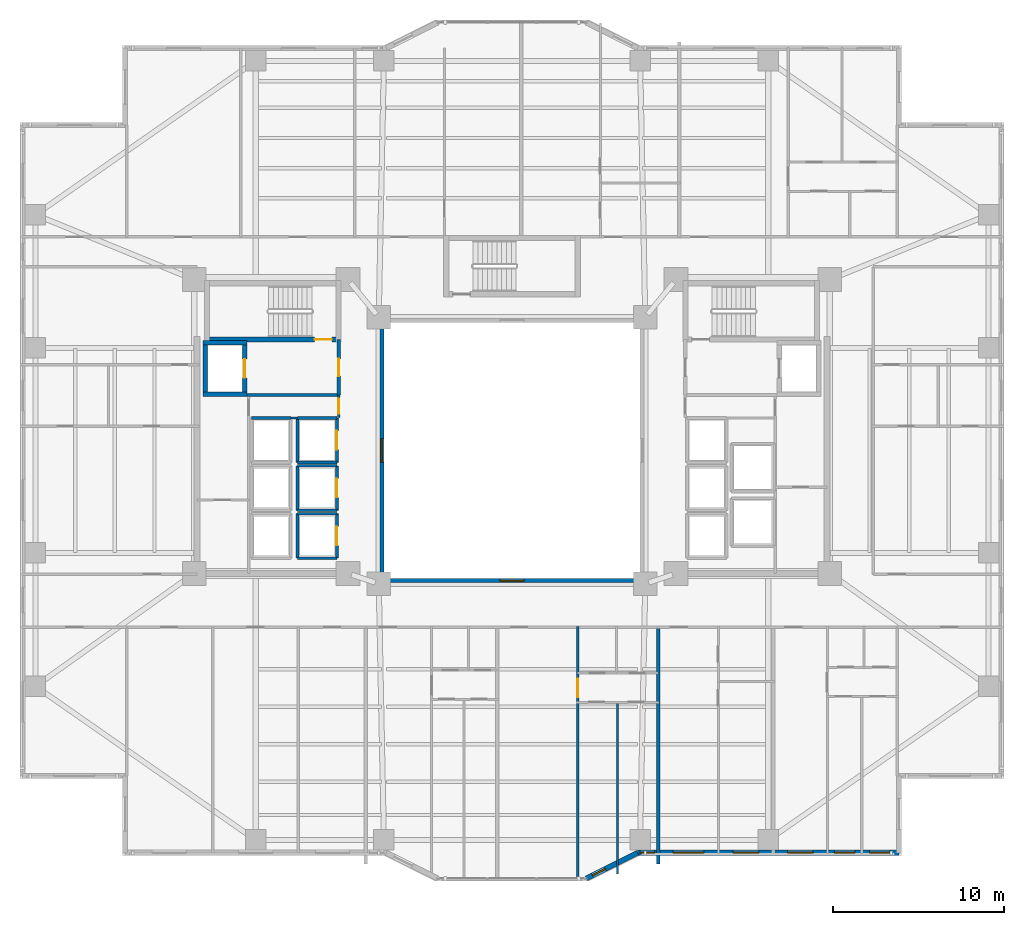
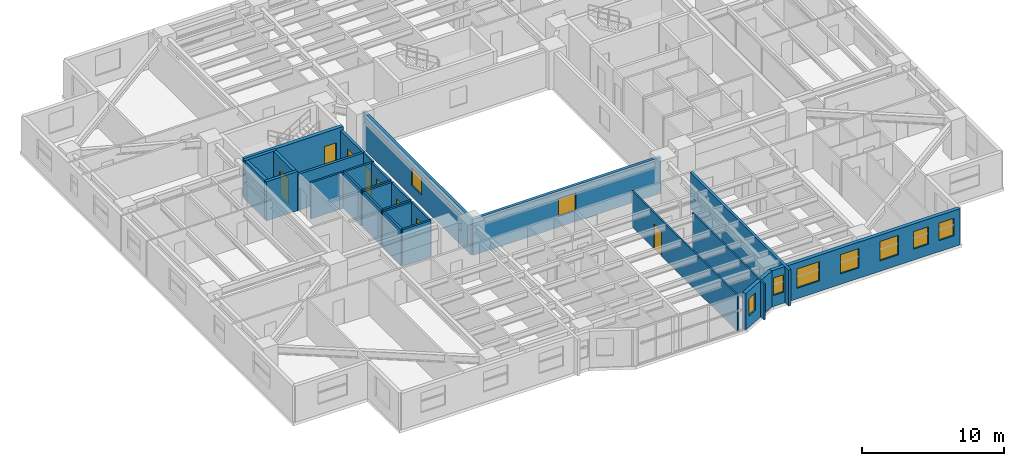
# One storey, part 11 of 21: 29 walls, 9 windows, 8 doors, 17 openings.
"""IFC4 building model written with IfcOpenShell, lengths in metres."""

from ifc_helpers import new_model, si_unit, direction, frame, frame_2d, origin, place, context, subcontext, project, spatial, rectangle, extrude, material, layer, layer_set, type_object, element, fill, save


model = new_model("IFC4")

# Units and contexts
model_context = context("Model", 3, precision=1e-05, world=origin(), true_north=direction((0.0, 1.0)))
body_context = subcontext(model_context, "Body", "Model", "MODEL_VIEW")
ifc_project = project(units=[si_unit("LENGTHUNIT", "METRE"), si_unit("AREAUNIT", "SQUARE_METRE"), si_unit("VOLUMEUNIT", "CUBIC_METRE"), si_unit("PLANEANGLEUNIT", "RADIAN"), si_unit("MASSUNIT", "GRAM", prefix="KILO")], contexts=[model_context])

# Site, building, storey
site_placement = place(None, origin())
site = spatial("IfcSite", under=ifc_project, at=site_placement, CompositionType="ELEMENT")
building_placement = place(site_placement, origin())
building = spatial("IfcBuilding", under=site, at=building_placement, Name="Tarnavaz Court Tower", CompositionType="ELEMENT")
storey_placement = place(building_placement, frame((0.0, 0.0, 44.10009765625)))
storey = spatial("IfcBuildingStorey", under=building, at=storey_placement, Name="L11", CompositionType="ELEMENT", Elevation=44.10009765625)

# Wall
ifc_material_1 = material(Name="Concrete C60/75", Category="concrete")
ifc_layer_1 = layer(ifc_material_1, 0.25)
ifc_layer_set_1 = layer_set([ifc_layer_1], Name="Concrete C60/75")
wall_type_1 = type_object("IfcWallType", Name="WL-CORE-250-C60", PredefinedType="SHEAR", material=ifc_layer_set_1)
wall_1_placement = place(storey_placement, frame((-17.949951171875, 3.175048828125, 0.0), z_axis=(0.0, 0.0, 1.0), x_axis=(0.0, 1.0, 0.0)))
element("IfcWall", 1, at=wall_1_placement, inside=storey, type_object=wall_type_1, Name="L11 Lift FL-W1 Shaft Wall 017", PredefinedType="SHEAR", context=body_context, shape_type="SweptSolid", body=[
    extrude(rectangle(XDim=3.25, YDim=0.25, at=frame_2d((1.625, 0.0))), origin(), (0.0, 0.0, 1.0), 3.349853515625),
])

# Wall, opening, door
wall_2_placement = place(storey_placement, frame((-15.64990234375, 3.175048828125, 0.0), z_axis=(0.0, 0.0, 1.0), x_axis=(0.0, 1.0, 0.0)))
wall_2 = element("IfcWall", 2, at=wall_2_placement, inside=storey, type_object=wall_type_1, Name="L11 Lift FL-W1 Shaft Wall 018", PredefinedType="SHEAR", context=body_context, shape_type="SweptSolid", body=[
    extrude(rectangle(XDim=3.25, YDim=0.25, at=frame_2d((1.625, 0.0))), origin(), (0.0, 0.0, 1.0), 3.349853515625),
])
opening_1_placement = place(wall_2_placement, frame((1.074951171875, 0.0, 0.0)))
opening_1 = element("IfcOpeningElement", 3, at=opening_1_placement, cuts=wall_2, Name="Opening LD1", PredefinedType="OPENING", context=body_context, shape_type="SweptSolid", body=[
    extrude(rectangle(XDim=1.10009765625, YDim=2.14990234375, at=frame_2d((0.550048828125, 1.074951171875))), frame((0.0, 0.135009765625, 0.0), z_axis=(0.0, -1.0, 0.0), x_axis=(1.0, 0.0, 0.0)), (0.0, 0.0, 1.0), 0.27001953125),
])
ifc_material_2 = material(Name="Stainless Steel", Category="steel")
door_type_1 = type_object("IfcDoorType", Name="DR-LD-1100", OperationType="NOTDEFINED", PredefinedType="DOOR", material=ifc_material_2)
door_1_placement = place(opening_1_placement, origin())
door_1 = element("IfcDoor", 4, at=door_1_placement, inside=storey, type_object=door_type_1, Name="L11 Lift Landing Door LD-FL-W1", OperationType="SLIDING_TO_LEFT", OverallHeight=2.14990234375, OverallWidth=1.10009765625, PredefinedType="DOOR", context=body_context, shape_type="SweptSolid", body=[
    extrude(rectangle(XDim=1.10009765625, YDim=2.14990234375, at=frame_2d((0.550048828125, 1.074951171875))), frame((0.0, 0.02490234375, 0.0), z_axis=(0.0, -1.0, 0.0), x_axis=(1.0, 0.0, 0.0)), (0.0, 0.0, 1.0), 0.050048828125),
])
fill(opening_1, door_1)

# Walls
for number, where, z_axis, x_axis, name in (
    (5, (-18.074951171875, 3.300048828125, 0.0), (0.0, 0.0, 1.0), (1.0, 0.0, 0.0), "L11 Lift FL-W1 Shaft Wall 019"),
    (6, (-18.074951171875, 6.300048828125, 0.0), (0.0, 0.0, 1.0), (1.0, 0.0, 0.0), "L11 Lift FL-W1 Shaft Wall 020"),
):
    element("IfcWall", number, at=place(storey_placement, frame(where, z_axis=z_axis, x_axis=x_axis)), inside=storey, type_object=wall_type_1, Name=name, PredefinedType="SHEAR", context=body_context, shape_type="SweptSolid", body=[
        extrude(rectangle(XDim=2.550048828125, YDim=0.25, at=frame_2d((1.27490234375, 0.0))), origin(), (0.0, 0.0, 1.0), 3.349853515625),
    ])

# Wall, opening, door
ifc_layer_2 = layer(ifc_material_1, 0.300048828125)
ifc_layer_set_2 = layer_set([ifc_layer_2], Name="Concrete C60/75")
wall_type_2 = type_object("IfcWallType", Name="WL-CORE-300-C60", PredefinedType="SHEAR", material=ifc_layer_set_2)
wall_3_placement = place(storey_placement, frame((-18.0, 6.5, 0.0), z_axis=(0.0, 0.0, 1.0), x_axis=(1.0, 0.0, 0.0)))
wall_3 = element("IfcWall", 7, at=wall_3_placement, inside=storey, type_object=wall_type_2, Name="L11 West Stair Core Wall 002", PredefinedType="SHEAR", context=body_context, shape_type="SweptSolid", body=[
    extrude(rectangle(XDim=8.0, YDim=0.300048828125, at=frame_2d((4.0, 0.0))), origin(), (0.0, 0.0, 1.0), 3.349853515625),
])
opening_2_placement = place(wall_3_placement, frame((6.449951171875, 0.0, 0.0)))
opening_2 = element("IfcOpeningElement", 8, at=opening_2_placement, cuts=wall_3, Name="Opening D01", PredefinedType="OPENING", context=body_context, shape_type="SweptSolid", body=[
    extrude(rectangle(XDim=1.0, YDim=2.14990234375, at=frame_2d((0.5, 1.074951171875))), frame((0.0, 0.159912109375, 0.0), z_axis=(0.0, -1.0, 0.0), x_axis=(1.0, 0.0, 0.0)), (0.0, 0.0, 1.0), 0.320068359375),
])
ifc_material_3 = material(Name="Fire-Rated Hardwood Timber Core", Category="wood")
door_type_2 = type_object("IfcDoorType", Name="DR-FD90-1000", OperationType="NOTDEFINED", PredefinedType="DOOR", material=ifc_material_3)
door_2_placement = place(opening_2_placement, origin())
door_2 = element("IfcDoor", 9, at=door_2_placement, inside=storey, type_object=door_type_2, Name="L11 Stair ST-W1 Exit Door", OperationType="SINGLE_SWING_LEFT", OverallHeight=2.14990234375, OverallWidth=1.0, PredefinedType="DOOR", context=body_context, shape_type="SweptSolid", body=[
    extrude(rectangle(XDim=1.0, YDim=2.14990234375, at=frame_2d((0.5, 1.074951171875))), frame((0.0, 0.02490234375, 0.0), z_axis=(0.0, -1.0, 0.0), x_axis=(1.0, 0.0, 0.0)), (0.0, 0.0, 1.0), 0.050048828125),
])
fill(opening_2, door_2)

# Wall, openings, windows
ifc_material_4 = material(Name="Precast Concrete C40/50", Category="concrete")
ifc_layer_3 = layer(ifc_material_4, 0.300048828125)
ifc_layer_set_3 = layer_set([ifc_layer_3], Name="Precast Concrete C40/50")
wall_type_3 = type_object("IfcWallType", Name="WL-EXT-300", PredefinedType="SOLIDWALL", material=ifc_layer_set_3)
wall_4_placement = place(storey_placement, frame((22.64990234375, -23.550048828125, 0.0), z_axis=(0.0, 0.0, 1.0), x_axis=(-1.0, 0.0, 0.0)))
wall_4 = element("IfcWall", 10, at=wall_4_placement, inside=storey, type_object=wall_type_3, Name="L11 Exterior Terracotta Facade Wall 15", PredefinedType="SOLIDWALL", context=body_context, shape_type="SweptSolid", body=[
    extrude(rectangle(XDim=15.2998046875, YDim=0.300048828125, at=frame_2d((7.64990234375, 0.0))), origin(), (0.0, 0.0, 1.0), 3.099853515625),
])
opening_3_placement = place(wall_4_placement, frame((0.5087890625, 0.0, 0.949951171875)))
opening_3 = element("IfcOpeningElement", 11, at=opening_3_placement, cuts=wall_4, Name="Opening W05", PredefinedType="OPENING", context=body_context, shape_type="SweptSolid", body=[
    extrude(rectangle(XDim=1.199951171875, YDim=1.5, at=frame_2d((0.60009765625, 0.75))), frame((0.0, 0.159912109375, 0.0), z_axis=(0.0, -1.0, 0.0), x_axis=(1.0, 0.0, 0.0)), (0.0, 0.0, 1.0), 0.320068359375),
])
opening_4_placement = place(wall_4_placement, frame((2.58544921875, 0.0, 0.949951171875)))
opening_4 = element("IfcOpeningElement", 12, at=opening_4_placement, cuts=wall_4, Name="Opening W05", PredefinedType="OPENING", context=body_context, shape_type="SweptSolid", body=[
    extrude(rectangle(XDim=1.199951171875, YDim=1.5, at=frame_2d((0.60009765625, 0.75))), frame((0.0, 0.159912109375, 0.0), z_axis=(0.0, -1.0, 0.0), x_axis=(1.0, 0.0, 0.0)), (0.0, 0.0, 1.0), 0.320068359375),
])
opening_5_placement = place(wall_4_placement, frame((5.018798828125, 0.0, 0.89990234375)))
opening_5 = element("IfcOpeningElement", 13, at=opening_5_placement, cuts=wall_4, Name="Opening W03", PredefinedType="OPENING", context=body_context, shape_type="SweptSolid", body=[
    extrude(rectangle(XDim=1.5, YDim=1.64990234375, at=frame_2d((0.75, 0.824951171875))), frame((0.0, 0.159912109375, 0.0), z_axis=(0.0, -1.0, 0.0), x_axis=(1.0, 0.0, 0.0)), (0.0, 0.0, 1.0), 0.320068359375),
])
opening_6_placement = place(wall_4_placement, frame((8.204345703125, 0.0, 0.89990234375)))
opening_6 = element("IfcOpeningElement", 14, at=opening_6_placement, cuts=wall_4, Name="Opening W03", PredefinedType="OPENING", context=body_context, shape_type="SweptSolid", body=[
    extrude(rectangle(XDim=1.5, YDim=1.64990234375, at=frame_2d((0.75, 0.824951171875))), frame((0.0, 0.159912109375, 0.0), z_axis=(0.0, -1.0, 0.0), x_axis=(1.0, 0.0, 0.0)), (0.0, 0.0, 1.0), 0.320068359375),
])
opening_7_placement = place(wall_4_placement, frame((11.415283203125, 0.0, 0.89990234375)))
opening_7 = element("IfcOpeningElement", 15, at=opening_7_placement, cuts=wall_4, Name="Opening W01", PredefinedType="OPENING", context=body_context, shape_type="SweptSolid", body=[
    extrude(rectangle(XDim=1.800048828125, YDim=1.64990234375, at=frame_2d((0.89990234375, 0.824951171875))), frame((0.0, 0.159912109375, 0.0), z_axis=(0.0, -1.0, 0.0), x_axis=(1.0, 0.0, 0.0)), (0.0, 0.0, 1.0), 0.320068359375),
])
opening_8_placement = place(wall_4_placement, frame((14.30322265625, 0.0, 0.949951171875)))
opening_8 = element("IfcOpeningElement", 16, at=opening_8_placement, cuts=wall_4, Name="Opening W15", PredefinedType="OPENING", context=body_context, shape_type="SweptSolid", body=[
    extrude(rectangle(XDim=0.85009765625, YDim=1.5, at=frame_2d((0.425048828125, 0.75))), frame((0.0, 0.159912109375, 0.0), z_axis=(0.0, -1.0, 0.0), x_axis=(1.0, 0.0, 0.0)), (0.0, 0.0, 1.0), 0.320068359375),
])
ifc_material_5 = material(Name="Double-Glazed Solar Low-E Glass", Category="glass")
window_type_1 = type_object("IfcWindowType", Name="WN-APT-1200", PartitioningType="SINGLE_PANEL", PredefinedType="WINDOW", material=ifc_material_5)
window_1_placement = place(opening_3_placement, origin())
window_1 = element("IfcWindow", 17, at=window_1_placement, inside=storey, type_object=window_type_1, Name="L11 Flat 04 Bedroom 2 Window", OverallHeight=1.5, OverallWidth=1.199951171875, PartitioningType="SINGLE_PANEL", PredefinedType="WINDOW", context=body_context, shape_type="SweptSolid", body=[
    extrude(rectangle(XDim=1.199951171875, YDim=1.5, at=frame_2d((0.60009765625, 0.75))), frame((0.0, 0.030029296875, 0.0), z_axis=(0.0, -1.0, 0.0), x_axis=(1.0, 0.0, 0.0)), (0.0, 0.0, 1.0), 0.06005859375),
])
fill(opening_3, window_1)
window_2_placement = place(opening_4_placement, origin())
window_2 = element("IfcWindow", 18, at=window_2_placement, inside=storey, type_object=window_type_1, Name="L11 Flat 04 Principal Bedroom Window", OverallHeight=1.5, OverallWidth=1.199951171875, PartitioningType="SINGLE_PANEL", PredefinedType="WINDOW", context=body_context, shape_type="SweptSolid", body=[
    extrude(rectangle(XDim=1.199951171875, YDim=1.5, at=frame_2d((0.60009765625, 0.75))), frame((0.0, 0.030029296875, 0.0), z_axis=(0.0, -1.0, 0.0), x_axis=(1.0, 0.0, 0.0)), (0.0, 0.0, 1.0), 0.06005859375),
])
fill(opening_4, window_2)
window_type_2 = type_object("IfcWindowType", Name="WN-APT-1500", PartitioningType="DOUBLE_PANEL_VERTICAL", PredefinedType="WINDOW", material=ifc_material_5)
window_3_placement = place(opening_5_placement, origin())
window_3 = element("IfcWindow", 19, at=window_3_placement, inside=storey, type_object=window_type_2, Name="L11 Flat 04 Living and Dining Room Window", OverallHeight=1.64990234375, OverallWidth=1.5, PartitioningType="SINGLE_PANEL", PredefinedType="WINDOW", context=body_context, shape_type="SweptSolid", body=[
    extrude(rectangle(XDim=1.5, YDim=1.64990234375, at=frame_2d((0.75, 0.824951171875))), frame((0.0, 0.030029296875, 0.0), z_axis=(0.0, -1.0, 0.0), x_axis=(1.0, 0.0, 0.0)), (0.0, 0.0, 1.0), 0.06005859375),
])
fill(opening_5, window_3)
window_4_placement = place(opening_6_placement, origin())
window_4 = element("IfcWindow", 20, at=window_4_placement, inside=storey, type_object=window_type_2, Name="L11 Flat 03 Kitchen Window", OverallHeight=1.64990234375, OverallWidth=1.5, PartitioningType="SINGLE_PANEL", PredefinedType="WINDOW", context=body_context, shape_type="SweptSolid", body=[
    extrude(rectangle(XDim=1.5, YDim=1.64990234375, at=frame_2d((0.75, 0.824951171875))), frame((0.0, 0.030029296875, 0.0), z_axis=(0.0, -1.0, 0.0), x_axis=(1.0, 0.0, 0.0)), (0.0, 0.0, 1.0), 0.06005859375),
])
fill(opening_6, window_4)
window_type_3 = type_object("IfcWindowType", Name="WN-APT-1800", PartitioningType="DOUBLE_PANEL_VERTICAL", PredefinedType="WINDOW", material=ifc_material_5)
window_5_placement = place(opening_7_placement, origin())
window_5 = element("IfcWindow", 21, at=window_5_placement, inside=storey, type_object=window_type_3, Name="L11 Flat 03 Studio Living and Sleeping Room Window", OverallHeight=1.64990234375, OverallWidth=1.800048828125, PartitioningType="SINGLE_PANEL", PredefinedType="WINDOW", context=body_context, shape_type="SweptSolid", body=[
    extrude(rectangle(XDim=1.800048828125, YDim=1.64990234375, at=frame_2d((0.89990234375, 0.824951171875))), frame((0.0, 0.030029296875, 0.0), z_axis=(0.0, -1.0, 0.0), x_axis=(1.0, 0.0, 0.0)), (0.0, 0.0, 1.0), 0.06005859375),
])
fill(opening_7, window_5)
window_type_4 = type_object("IfcWindowType", Name="WN-APT-850", PartitioningType="SINGLE_PANEL", PredefinedType="WINDOW", material=ifc_material_5)
window_6_placement = place(opening_8_placement, origin())
window_6 = element("IfcWindow", 22, at=window_6_placement, inside=storey, type_object=window_type_4, Name="L11 Flat 06 Bedroom 2 Window", OverallHeight=1.5, OverallWidth=0.85009765625, PartitioningType="SINGLE_PANEL", PredefinedType="WINDOW", context=body_context, shape_type="SweptSolid", body=[
    extrude(rectangle(XDim=0.85009765625, YDim=1.5, at=frame_2d((0.425048828125, 0.75))), frame((0.0, 0.030029296875, 0.0), z_axis=(0.0, -1.0, 0.0), x_axis=(1.0, 0.0, 0.0)), (0.0, 0.0, 1.0), 0.06005859375),
])
fill(opening_8, window_6)

# Wall, opening, window
wall_5_placement = place(storey_placement, frame((7.35009765625, -23.550048828125, 0.0), z_axis=(0.0, 0.0, 1.0), x_axis=(-0.894427191, -0.4472135955, 0.0)))
wall_5 = element("IfcWall", 23, at=wall_5_placement, inside=storey, type_object=wall_type_3, Name="L11 Exterior Terracotta Facade Wall 16", PredefinedType="SOLIDWALL", context=body_context, shape_type="SweptSolid", body=[
    extrude(rectangle(XDim=3.35400390625, YDim=0.300048828125, at=frame_2d((1.677001953125, 0.0))), origin(), (0.0, 0.0, 1.0), 3.099853515625),
])
opening_9_placement = place(wall_5_placement, frame((2.102783203125, 0.0, 0.949951171875)))
opening_9 = element("IfcOpeningElement", 24, at=opening_9_placement, cuts=wall_5, Name="Opening W15", PredefinedType="OPENING", context=body_context, shape_type="SweptSolid", body=[
    extrude(rectangle(XDim=0.85009765625, YDim=1.5, at=frame_2d((0.425048828125, 0.75))), frame((0.0, 0.159912109375, 0.0), z_axis=(0.0, -1.0, 0.0), x_axis=(1.0, 0.0, 0.0)), (0.0, 0.0, 1.0), 0.320068359375),
])
window_7_placement = place(opening_9_placement, origin())
window_7 = element("IfcWindow", 25, at=window_7_placement, inside=storey, type_object=window_type_4, Name="L11 Flat 06 Principal Bedroom Window", OverallHeight=1.5, OverallWidth=0.85009765625, PartitioningType="SINGLE_PANEL", PredefinedType="WINDOW", context=body_context, shape_type="SweptSolid", body=[
    extrude(rectangle(XDim=0.85009765625, YDim=1.5, at=frame_2d((0.425048828125, 0.75))), frame((0.0, 0.030029296875, 0.0), z_axis=(0.0, -1.0, 0.0), x_axis=(1.0, 0.0, 0.0)), (0.0, 0.0, 1.0), 0.06005859375),
])
fill(opening_9, window_7)

# Wall
ifc_material_6 = material(Name="Autoclaved Aerated Concrete Blockwork", Category="masonry")
ifc_layer_4 = layer(ifc_material_6, 0.199951171875)
ifc_layer_set_4 = layer_set([ifc_layer_4], Name="Autoclaved Aerated Concrete Blockwork")
wall_type_4 = type_object("IfcWallType", Name="WL-FIRE-200", PredefinedType="SOLIDWALL", material=ifc_layer_set_4)
wall_6_placement = place(storey_placement, frame((-15.550048828125, 3.25, 0.0), z_axis=(0.0, 0.0, 1.0), x_axis=(1.0, 0.0, 0.0)))
element("IfcWall", 26, at=wall_6_placement, inside=storey, type_object=wall_type_4, Name="L11 West Firefighting Lobby Wall 013", PredefinedType="SOLIDWALL", context=body_context, shape_type="SweptSolid", body=[
    extrude(rectangle(XDim=5.400146484375, YDim=0.199951171875, at=frame_2d((2.7001953125, 0.0))), origin(), (0.0, 0.0, 1.0), 3.099853515625),
])

# Wall, opening, door
wall_7_placement = place(storey_placement, frame((-10.14990234375, 3.25, 0.0), z_axis=(0.0, 0.0, 1.0), x_axis=(0.0, 1.0, 0.0)))
wall_7 = element("IfcWall", 27, at=wall_7_placement, inside=storey, type_object=wall_type_4, Name="L11 West Firefighting Lobby Wall 014", PredefinedType="SOLIDWALL", context=body_context, shape_type="SweptSolid", body=[
    extrude(rectangle(XDim=3.25, YDim=0.199951171875, at=frame_2d((1.625, 0.0))), origin(), (0.0, 0.0, 1.0), 3.099853515625),
])
opening_10_placement = place(wall_7_placement, frame((1.10009765625, 0.0, 0.0)))
opening_10 = element("IfcOpeningElement", 28, at=opening_10_placement, cuts=wall_7, Name="Opening D05", PredefinedType="OPENING", context=body_context, shape_type="SweptSolid", body=[
    extrude(rectangle(XDim=1.02001953125, YDim=2.14990234375, at=frame_2d((0.510009765625, 1.074951171875))), frame((0.0, 0.10986328125, 0.0), z_axis=(0.0, -1.0, 0.0), x_axis=(1.0, 0.0, 0.0)), (0.0, 0.0, 1.0), 0.219970703125),
])
door_type_3 = type_object("IfcDoorType", Name="DR-FD60-1000", OperationType="NOTDEFINED", PredefinedType="DOOR", material=ifc_material_3)
door_3_placement = place(opening_10_placement, origin())
door_3 = element("IfcDoor", 29, at=door_3_placement, inside=storey, type_object=door_type_3, Name="L11 West Firefighting Lobby Door", OperationType="SINGLE_SWING_RIGHT", OverallHeight=2.14990234375, OverallWidth=1.02001953125, PredefinedType="DOOR", context=body_context, shape_type="SweptSolid", body=[
    extrude(rectangle(XDim=1.02001953125, YDim=2.14990234375, at=frame_2d((0.510009765625, 1.074951171875))), frame((0.0, 0.02490234375, 0.0), z_axis=(0.0, -1.0, 0.0), x_axis=(1.0, 0.0, 0.0)), (0.0, 0.0, 1.0), 0.050048828125),
])
fill(opening_10, door_3)

# Wall
wall_8_placement = place(storey_placement, frame((8.550048828125, -24.2041015625, 0.0), z_axis=(0.0, 0.0, 1.0), x_axis=(0.0, 1.0, 0.0)))
element("IfcWall", 30, at=wall_8_placement, inside=storey, type_object=wall_type_4, Name="L11 Party Wall 114", PredefinedType="SOLIDWALL", context=body_context, shape_type="SweptSolid", body=[
    extrude(rectangle(XDim=13.85400390625, YDim=0.199951171875, at=frame_2d((6.927001953125, 0.0))), origin(), (0.0, 0.0, 1.0), 3.099853515625),
])

# Wall, opening, door
ifc_material_7 = material(Name="Moisture-Resistant Gypsum Board Partition", Category="masonry")
ifc_layer_5 = layer(ifc_material_7, 0.1201171875)
ifc_layer_set_5 = layer_set([ifc_layer_5], Name="Moisture-Resistant Gypsum Board Partition")
wall_type_5 = type_object("IfcWallType", Name="WL-PART-120", PredefinedType="PARTITIONING", material=ifc_layer_set_5)
wall_9_placement = place(storey_placement, frame((3.847900390625, -25.080078125, 0.0), z_axis=(0.0, 0.0, 1.0), x_axis=(0.0, 1.0, 0.0)))
wall_9 = element("IfcWall", 31, at=wall_9_placement, inside=storey, type_object=wall_type_5, Name="L11 Interior Partition 122", PredefinedType="PARTITIONING", context=body_context, shape_type="SweptSolid", body=[
    extrude(rectangle(XDim=14.7900390625, YDim=0.1201171875, at=frame_2d((7.39501953125, 0.0))), origin(), (0.0, 0.0, 1.0), 3.099853515625),
])
opening_11_placement = place(wall_9_placement, frame((10.625, 0.0, 0.0)))
opening_11 = element("IfcOpeningElement", 32, at=opening_11_placement, cuts=wall_9, Name="Opening D12", PredefinedType="OPENING", context=body_context, shape_type="SweptSolid", body=[
    extrude(rectangle(XDim=1.080078125, YDim=2.14990234375, at=frame_2d((0.5400390625, 1.074951171875))), frame((0.0, 0.070068359375, 0.0), z_axis=(0.0, -1.0, 0.0), x_axis=(1.0, 0.0, 0.0)), (0.0, 0.0, 1.0), 0.14013671875),
])
ifc_material_8 = material(Name="Engineered Oak Timber", Category="wood")
door_type_4 = type_object("IfcDoorType", Name="DR-INT-1100", OperationType="NOTDEFINED", PredefinedType="DOOR", material=ifc_material_8)
door_4_placement = place(opening_11_placement, origin())
door_4 = element("IfcDoor", 33, at=door_4_placement, inside=storey, type_object=door_type_4, Name="L11 Flat 06 Foyer Door", OperationType="SINGLE_SWING_LEFT", OverallHeight=2.14990234375, OverallWidth=1.080078125, PredefinedType="DOOR", context=body_context, shape_type="SweptSolid", body=[
    extrude(rectangle(XDim=1.080078125, YDim=2.14990234375, at=frame_2d((0.5400390625, 1.074951171875))), frame((0.0, 0.02490234375, 0.0), z_axis=(0.0, -1.0, 0.0), x_axis=(1.0, 0.0, 0.0)), (0.0, 0.0, 1.0), 0.050048828125),
])
fill(opening_11, door_4)

# Walls
wall_10_placement = place(storey_placement, frame((6.1689453125, -24.7919921875, 0.0), z_axis=(0.0, 0.0, 1.0), x_axis=(0.0, 1.0, 0.0)))
element("IfcWall", 34, at=wall_10_placement, inside=storey, type_object=wall_type_5, Name="L11 Interior Partition 127", PredefinedType="PARTITIONING", context=body_context, shape_type="SweptSolid", body=[
    extrude(rectangle(XDim=10.112060546875, YDim=0.1201171875, at=frame_2d((5.05615234375, 0.0))), origin(), (0.0, 0.0, 1.0), 3.099853515625),
])
ifc_material_9 = material(Name="Gypsum Plasterboard Acoustic Partition", Category="masonry")
ifc_layer_6 = layer(ifc_material_9, 0.139892578125)
ifc_layer_set_6 = layer_set([ifc_layer_6], Name="Gypsum Plasterboard Acoustic Partition")
wall_type_6 = type_object("IfcWallType", Name="WL-PART-150", PredefinedType="PARTITIONING", material=ifc_layer_set_6)
wall_11_placement = place(storey_placement, frame((-12.949951171875, 1.89990234375, 0.0), z_axis=(0.0, 0.0, 1.0), x_axis=(1.0, 0.0, 0.0)))
element("IfcWall", 35, at=wall_11_placement, inside=storey, type_object=wall_type_6, Name="L11 Interior Partition 073", PredefinedType="PARTITIONING", context=body_context, shape_type="SweptSolid", body=[
    extrude(rectangle(XDim=0.39990234375, YDim=0.139892578125, at=frame_2d((0.199951171875, 0.0))), origin(), (0.0, 0.0, 1.0), 3.099853515625),
])

# Wall, opening, door
wall_12_placement = place(storey_placement, frame((-10.14990234375, 1.919921875, 0.0), z_axis=(0.0, 0.0, 1.0), x_axis=(0.0, 1.0, 0.0)))
wall_12 = element("IfcWall", 36, at=wall_12_placement, inside=storey, type_object=wall_type_6, Name="L11 Interior Partition 074", PredefinedType="PARTITIONING", context=body_context, shape_type="SweptSolid", body=[
    extrude(rectangle(XDim=1.330078125, YDim=0.139892578125, at=frame_2d((0.6650390625, 0.0))), origin(), (0.0, 0.0, 1.0), 3.099853515625),
])
opening_12_placement = place(wall_12_placement, frame((0.219970703125, 0.0, 0.0)))
opening_12 = element("IfcOpeningElement", 37, at=opening_12_placement, cuts=wall_12, Name="Opening D09", PredefinedType="OPENING", context=body_context, shape_type="SweptSolid", body=[
    extrude(rectangle(XDim=0.89990234375, YDim=2.080078125, at=frame_2d((0.449951171875, 1.0400390625))), frame((0.0, 0.079833984375, 0.0), z_axis=(0.0, -1.0, 0.0), x_axis=(1.0, 0.0, 0.0)), (0.0, 0.0, 1.0), 0.159912109375),
])
door_type_5 = type_object("IfcDoorType", Name="DR-FD30-900", OperationType="NOTDEFINED", PredefinedType="DOOR", material=ifc_material_3)
door_5_placement = place(opening_12_placement, origin())
door_5 = element("IfcDoor", 38, at=door_5_placement, inside=storey, type_object=door_type_5, Name="L11 West Core Service Lobby Door", OperationType="SINGLE_SWING_LEFT", OverallHeight=2.080078125, OverallWidth=0.89990234375, PredefinedType="DOOR", context=body_context, shape_type="SweptSolid", body=[
    extrude(rectangle(XDim=0.89990234375, YDim=2.080078125, at=frame_2d((0.449951171875, 1.0400390625))), frame((0.0, 0.02490234375, 0.0), z_axis=(0.0, -1.0, 0.0), x_axis=(1.0, 0.0, 0.0)), (0.0, 0.0, 1.0), 0.050048828125),
])
fill(opening_12, door_5)

# Wall
ifc_layer_7 = layer(ifc_material_6, 0.159912109375)
ifc_layer_set_7 = layer_set([ifc_layer_7], Name="Autoclaved Aerated Concrete Blockwork")
wall_type_7 = type_object("IfcWallType", Name="WL-SHAFT-150", PredefinedType="SOLIDWALL", material=ifc_layer_set_7)
wall_13_placement = place(storey_placement, frame((-12.550048828125, -6.300048828125, 0.0), z_axis=(0.0, 0.0, 1.0), x_axis=(0.0, 1.0, 0.0)))
element("IfcWall", 39, at=wall_13_placement, inside=storey, type_object=wall_type_7, Name="L11 Lift PL-L1 Shaft Wall 021", PredefinedType="SOLIDWALL", context=body_context, shape_type="SweptSolid", body=[
    extrude(rectangle(XDim=2.60009765625, YDim=0.159912109375, at=frame_2d((1.300048828125, 0.0))), origin(), (0.0, 0.0, 1.0), 3.099853515625),
])

# Wall, opening, door
wall_14_placement = place(storey_placement, frame((-10.25, -6.300048828125, 0.0), z_axis=(0.0, 0.0, 1.0), x_axis=(0.0, 1.0, 0.0)))
wall_14 = element("IfcWall", 40, at=wall_14_placement, inside=storey, type_object=wall_type_7, Name="L11 Lift PL-L1 Shaft Wall 022", PredefinedType="SOLIDWALL", context=body_context, shape_type="SweptSolid", body=[
    extrude(rectangle(XDim=2.60009765625, YDim=0.159912109375, at=frame_2d((1.300048828125, 0.0))), origin(), (0.0, 0.0, 1.0), 3.099853515625),
])
opening_13_placement = place(wall_14_placement, frame((0.75, 0.0, 0.0)))
opening_13 = element("IfcOpeningElement", 41, at=opening_13_placement, cuts=wall_14, Name="Opening LD1", PredefinedType="OPENING", context=body_context, shape_type="SweptSolid", body=[
    extrude(rectangle(XDim=1.10009765625, YDim=2.14990234375, at=frame_2d((0.550048828125, 1.074951171875))), frame((0.0, 0.08984375, 0.0), z_axis=(0.0, -1.0, 0.0), x_axis=(1.0, 0.0, 0.0)), (0.0, 0.0, 1.0), 0.179931640625),
])
door_6_placement = place(opening_13_placement, origin())
door_6 = element("IfcDoor", 42, at=door_6_placement, inside=storey, type_object=door_type_1, Name="L11 Lift Landing Door LD-PL-L1", OperationType="SLIDING_TO_LEFT", OverallHeight=2.14990234375, OverallWidth=1.10009765625, PredefinedType="DOOR", context=body_context, shape_type="SweptSolid", body=[
    extrude(rectangle(XDim=1.10009765625, YDim=2.14990234375, at=frame_2d((0.550048828125, 1.074951171875))), frame((0.0, 0.02490234375, 0.0), z_axis=(0.0, -1.0, 0.0), x_axis=(1.0, 0.0, 0.0)), (0.0, 0.0, 1.0), 0.050048828125),
])
fill(opening_13, door_6)

# Walls
for number, where, z_axis, x_axis, name in (
    (43, (-12.550048828125, -6.300048828125, 0.0), (0.0, 0.0, 1.0), (1.0, 0.0, 0.0), "L11 Lift PL-L1 Shaft Wall 023"),
    (44, (-12.550048828125, -3.699951171875, 0.0), (0.0, 0.0, 1.0), (1.0, 0.0, 0.0), "L11 Lift PL-L1 Shaft Wall 024"),
):
    element("IfcWall", number, at=place(storey_placement, frame(where, z_axis=z_axis, x_axis=x_axis)), inside=storey, type_object=wall_type_7, Name=name, PredefinedType="SOLIDWALL", context=body_context, shape_type="SweptSolid", body=[
        extrude(rectangle(XDim=2.300048828125, YDim=0.159912109375, at=frame_2d((1.14990234375, 0.0))), origin(), (0.0, 0.0, 1.0), 3.099853515625),
    ])
wall_15_placement = place(storey_placement, frame((-12.550048828125, -3.5, 0.0), z_axis=(0.0, 0.0, 1.0), x_axis=(0.0, 1.0, 0.0)))
element("IfcWall", 45, at=wall_15_placement, inside=storey, type_object=wall_type_7, Name="L11 Lift PL-L2 Shaft Wall 025", PredefinedType="SOLIDWALL", context=body_context, shape_type="SweptSolid", body=[
    extrude(rectangle(XDim=2.60009765625, YDim=0.159912109375, at=frame_2d((1.300048828125, 0.0))), origin(), (0.0, 0.0, 1.0), 3.099853515625),
])

# Wall, opening, door
wall_16_placement = place(storey_placement, frame((-10.25, -3.5, 0.0), z_axis=(0.0, 0.0, 1.0), x_axis=(0.0, 1.0, 0.0)))
wall_16 = element("IfcWall", 46, at=wall_16_placement, inside=storey, type_object=wall_type_7, Name="L11 Lift PL-L2 Shaft Wall 026", PredefinedType="SOLIDWALL", context=body_context, shape_type="SweptSolid", body=[
    extrude(rectangle(XDim=2.60009765625, YDim=0.159912109375, at=frame_2d((1.300048828125, 0.0))), origin(), (0.0, 0.0, 1.0), 3.099853515625),
])
opening_14_placement = place(wall_16_placement, frame((0.75, 0.0, 0.0)))
opening_14 = element("IfcOpeningElement", 47, at=opening_14_placement, cuts=wall_16, Name="Opening LD1", PredefinedType="OPENING", context=body_context, shape_type="SweptSolid", body=[
    extrude(rectangle(XDim=1.10009765625, YDim=2.14990234375, at=frame_2d((0.550048828125, 1.074951171875))), frame((0.0, 0.08984375, 0.0), z_axis=(0.0, -1.0, 0.0), x_axis=(1.0, 0.0, 0.0)), (0.0, 0.0, 1.0), 0.179931640625),
])
door_7_placement = place(opening_14_placement, origin())
door_7 = element("IfcDoor", 48, at=door_7_placement, inside=storey, type_object=door_type_1, Name="L11 Lift Landing Door LD-PL-L2", OperationType="SLIDING_TO_LEFT", OverallHeight=2.14990234375, OverallWidth=1.10009765625, PredefinedType="DOOR", context=body_context, shape_type="SweptSolid", body=[
    extrude(rectangle(XDim=1.10009765625, YDim=2.14990234375, at=frame_2d((0.550048828125, 1.074951171875))), frame((0.0, 0.02490234375, 0.0), z_axis=(0.0, -1.0, 0.0), x_axis=(1.0, 0.0, 0.0)), (0.0, 0.0, 1.0), 0.050048828125),
])
fill(opening_14, door_7)

# Walls
for number, where, z_axis, x_axis, name in (
    (49, (-12.550048828125, -3.5, 0.0), (0.0, 0.0, 1.0), (1.0, 0.0, 0.0), "L11 Lift PL-L2 Shaft Wall 027"),
    (50, (-12.550048828125, -0.89990234375, 0.0), (0.0, 0.0, 1.0), (1.0, 0.0, 0.0), "L11 Lift PL-L2 Shaft Wall 028"),
):
    element("IfcWall", number, at=place(storey_placement, frame(where, z_axis=z_axis, x_axis=x_axis)), inside=storey, type_object=wall_type_7, Name=name, PredefinedType="SOLIDWALL", context=body_context, shape_type="SweptSolid", body=[
        extrude(rectangle(XDim=2.300048828125, YDim=0.159912109375, at=frame_2d((1.14990234375, 0.0))), origin(), (0.0, 0.0, 1.0), 3.099853515625),
    ])
wall_17_placement = place(storey_placement, frame((-12.550048828125, -0.699951171875, 0.0), z_axis=(0.0, 0.0, 1.0), x_axis=(0.0, 1.0, 0.0)))
element("IfcWall", 51, at=wall_17_placement, inside=storey, type_object=wall_type_7, Name="L11 Lift PL-L3 Shaft Wall 029", PredefinedType="SOLIDWALL", context=body_context, shape_type="SweptSolid", body=[
    extrude(rectangle(XDim=2.599853515625, YDim=0.159912109375, at=frame_2d((1.2998046875, 0.0))), origin(), (0.0, 0.0, 1.0), 3.099853515625),
])

# Wall, opening, door
wall_18_placement = place(storey_placement, frame((-10.25, -0.699951171875, 0.0), z_axis=(0.0, 0.0, 1.0), x_axis=(0.0, 1.0, 0.0)))
wall_18 = element("IfcWall", 52, at=wall_18_placement, inside=storey, type_object=wall_type_7, Name="L11 Lift PL-L3 Shaft Wall 030", PredefinedType="SOLIDWALL", context=body_context, shape_type="SweptSolid", body=[
    extrude(rectangle(XDim=2.599853515625, YDim=0.159912109375, at=frame_2d((1.2998046875, 0.0))), origin(), (0.0, 0.0, 1.0), 3.099853515625),
])
opening_15_placement = place(wall_18_placement, frame((0.75, 0.0, 0.0)))
opening_15 = element("IfcOpeningElement", 53, at=opening_15_placement, cuts=wall_18, Name="Opening LD1", PredefinedType="OPENING", context=body_context, shape_type="SweptSolid", body=[
    extrude(rectangle(XDim=1.10009765625, YDim=2.14990234375, at=frame_2d((0.550048828125, 1.074951171875))), frame((0.0, 0.08984375, 0.0), z_axis=(0.0, -1.0, 0.0), x_axis=(1.0, 0.0, 0.0)), (0.0, 0.0, 1.0), 0.179931640625),
])
door_8_placement = place(opening_15_placement, origin())
door_8 = element("IfcDoor", 54, at=door_8_placement, inside=storey, type_object=door_type_1, Name="L11 Lift Landing Door LD-PL-L3", OperationType="SLIDING_TO_LEFT", OverallHeight=2.14990234375, OverallWidth=1.10009765625, PredefinedType="DOOR", context=body_context, shape_type="SweptSolid", body=[
    extrude(rectangle(XDim=1.10009765625, YDim=2.14990234375, at=frame_2d((0.550048828125, 1.074951171875))), frame((0.0, 0.02490234375, 0.0), z_axis=(0.0, -1.0, 0.0), x_axis=(1.0, 0.0, 0.0)), (0.0, 0.0, 1.0), 0.050048828125),
])
fill(opening_15, door_8)

# Walls
for number, where, z_axis, x_axis, name in (
    (55, (-12.550048828125, -0.699951171875, 0.0), (0.0, 0.0, 1.0), (1.0, 0.0, 0.0), "L11 Lift PL-L3 Shaft Wall 031"),
    (56, (-12.550048828125, 1.89990234375, 0.0), (0.0, 0.0, 1.0), (1.0, 0.0, 0.0), "L11 Lift PL-L3 Shaft Wall 032"),
    (57, (-15.25, 1.89990234375, 0.0), (0.0, 0.0, 1.0), (1.0, 0.0, 0.0), "L11 Lift PL-H3 Shaft Wall 044"),
):
    element("IfcWall", number, at=place(storey_placement, frame(where, z_axis=z_axis, x_axis=x_axis)), inside=storey, type_object=wall_type_7, Name=name, PredefinedType="SOLIDWALL", context=body_context, shape_type="SweptSolid", body=[
        extrude(rectangle(XDim=2.300048828125, YDim=0.159912109375, at=frame_2d((1.14990234375, 0.0))), origin(), (0.0, 0.0, 1.0), 3.099853515625),
    ])

# Wall, opening, window
ifc_layer_8 = layer(ifc_material_4, 0.239990234375)
ifc_layer_set_8 = layer_set([ifc_layer_8], Name="Precast Concrete C40/50")
wall_type_8 = type_object("IfcWallType", Name="WL-WELL-240", PredefinedType="SOLIDWALL", material=ifc_layer_set_8)
wall_19_placement = place(storey_placement, frame((-7.6201171875, -7.6201171875, 0.0), z_axis=(0.0, 0.0, 1.0), x_axis=(1.0, 0.0, 0.0)))
wall_19 = element("IfcWall", 58, at=wall_19_placement, inside=storey, type_object=wall_type_8, Name="L11 Badgir Light-Well Exterior Wall S", PredefinedType="SOLIDWALL", context=body_context, shape_type="SweptSolid", body=[
    extrude(rectangle(XDim=15.240234375, YDim=0.239990234375, at=frame_2d((7.6201171875, 0.0))), origin(), (0.0, 0.0, 1.0), 3.099853515625),
])
opening_16_placement = place(wall_19_placement, frame((6.919921875, 0.0, 0.949951171875)))
opening_16 = element("IfcOpeningElement", 59, at=opening_16_placement, cuts=wall_19, Name="Opening W13", PredefinedType="OPENING", context=body_context, shape_type="SweptSolid", body=[
    extrude(rectangle(XDim=1.39990234375, YDim=1.5, at=frame_2d((0.699951171875, 0.75))), frame((0.0, 0.1298828125, 0.0), z_axis=(0.0, -1.0, 0.0), x_axis=(1.0, 0.0, 0.0)), (0.0, 0.0, 1.0), 0.260009765625),
])
window_type_5 = type_object("IfcWindowType", Name="WN-WEL-1400", PartitioningType="SINGLE_PANEL", PredefinedType="WINDOW", material=ifc_material_5)
window_8_placement = place(opening_16_placement, origin())
window_8 = element("IfcWindow", 60, at=window_8_placement, inside=storey, type_object=window_type_5, Name="L11 Courtyard Gallery Window S", OverallHeight=1.5, OverallWidth=1.39990234375, PartitioningType="SINGLE_PANEL", PredefinedType="WINDOW", context=body_context, shape_type="SweptSolid", body=[
    extrude(rectangle(XDim=1.39990234375, YDim=1.5, at=frame_2d((0.699951171875, 0.75))), frame((0.0, 0.030029296875, 0.0), z_axis=(0.0, -1.0, 0.0), x_axis=(1.0, 0.0, 0.0)), (0.0, 0.0, 1.0), 0.06005859375),
])
fill(opening_16, window_8)

wall_20_placement = place(storey_placement, frame((-7.6201171875, 7.6201171875, 0.0), z_axis=(0.0, 0.0, 1.0), x_axis=(0.0, -1.0, 0.0)))
wall_20 = element("IfcWall", 61, at=wall_20_placement, inside=storey, type_object=wall_type_8, Name="L11 Badgir Light-Well Exterior Wall W", PredefinedType="SOLIDWALL", context=body_context, shape_type="SweptSolid", body=[
    extrude(rectangle(XDim=15.240234375, YDim=0.239990234375, at=frame_2d((7.6201171875, 0.0))), origin(), (0.0, 0.0, 1.0), 3.099853515625),
])
opening_17_placement = place(wall_20_placement, frame((6.919921875, 0.0, 0.949951171875)))
opening_17 = element("IfcOpeningElement", 62, at=opening_17_placement, cuts=wall_20, Name="Opening W13", PredefinedType="OPENING", context=body_context, shape_type="SweptSolid", body=[
    extrude(rectangle(XDim=1.39990234375, YDim=1.5, at=frame_2d((0.699951171875, 0.75))), frame((0.0, 0.1298828125, 0.0), z_axis=(0.0, -1.0, 0.0), x_axis=(1.0, 0.0, 0.0)), (0.0, 0.0, 1.0), 0.260009765625),
])
window_9_placement = place(opening_17_placement, origin())
window_9 = element("IfcWindow", 63, at=window_9_placement, inside=storey, type_object=window_type_5, Name="L11 Courtyard Gallery Window W", OverallHeight=1.5, OverallWidth=1.39990234375, PartitioningType="SINGLE_PANEL", PredefinedType="WINDOW", context=body_context, shape_type="SweptSolid", body=[
    extrude(rectangle(XDim=1.39990234375, YDim=1.5, at=frame_2d((0.699951171875, 0.75))), frame((0.0, 0.030029296875, 0.0), z_axis=(0.0, -1.0, 0.0), x_axis=(1.0, 0.0, 0.0)), (0.0, 0.0, 1.0), 0.06005859375),
])
fill(opening_17, window_9)

save(model, "model.ifc")
